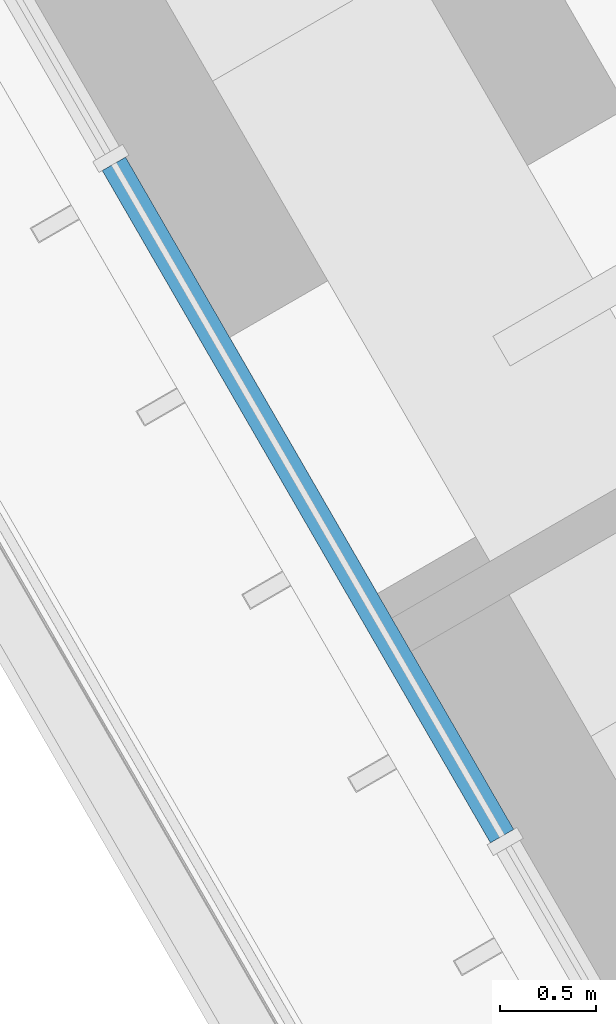
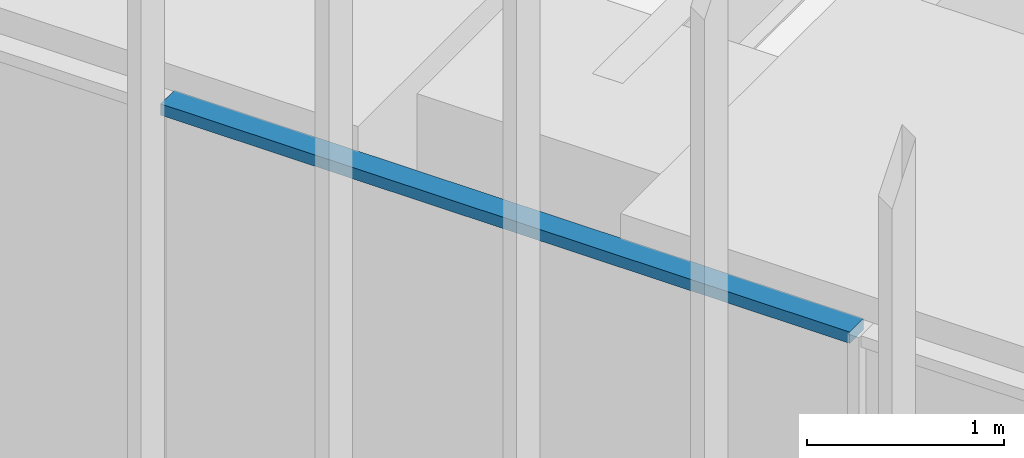
# One storey, part 8 of 238: 1 member, 1 element without a shape of its own.
"""IFC4 building model written with IfcOpenShell, lengths in metres."""

from ifc_helpers import new_model, si_unit, direction, frame, origin, origin_2d, place, context, subcontext, project, spatial, rectangle, extrude, material, material_profile, profile_set, type_object, element, aggregate, save


model = new_model("IFC4")

# Units and contexts
model_context = context("Model", 3, precision=1e-05, world=origin(), true_north=direction((0.0, 1.0)))
body_context = subcontext(model_context, "Body", "Model", "MODEL_VIEW")
ifc_project = project(units=[si_unit("LENGTHUNIT", "METRE"), si_unit("AREAUNIT", "SQUARE_METRE"), si_unit("VOLUMEUNIT", "CUBIC_METRE"), si_unit("PLANEANGLEUNIT", "RADIAN"), si_unit("MASSUNIT", "GRAM", prefix="KILO")], contexts=[model_context])

# Site, building, storey
site_placement = place(None, origin())
site = spatial("IfcSite", under=ifc_project, at=site_placement, CompositionType="ELEMENT")
building_placement = place(site_placement, origin())
building = spatial("IfcBuilding", under=site, at=building_placement, Name="Sandreach Pilgrim Tower", CompositionType="ELEMENT")
storey_placement = place(building_placement, frame((0.0, 0.0, 96.800048828125)))
storey = spatial("IfcBuildingStorey", under=building, at=storey_placement, Name="L23", CompositionType="ELEMENT", Elevation=96.800048828125)

# Curtain wall, member
ifc_material_1 = material(Name="Aluminium framed curtain wall", Category="aluminium")
curtain_wall_type = type_object("IfcCurtainWallType", Name="Hotel tower curtain wall", PredefinedType="NOTDEFINED", material=ifc_material_1)
curtain_wall_placement = place(storey_placement, origin())
curtain_wall = element("IfcCurtainWall", 1, at=curtain_wall_placement, inside=storey, type_object=curtain_wall_type, Name="CW-2 L23 SW", PredefinedType="NOTDEFINED")
ifc_material_2 = material(Name="Aluminium extrusion", Category="aluminium")
ifc_material_profile = material_profile(ifc_material_2, rectangle(XDim=0.139892578125, YDim=0.070068359375, at=origin_2d()), Name="CW-2T 140X70")
ifc_profile_set = profile_set([ifc_material_profile], Name="Aluminium extrusion")
member_type = type_object("IfcMemberType", Name="CW-2 transom", PredefinedType="USERDEFINED", material=ifc_profile_set)
member_placement = place(storey_placement, frame((-16.416259765625, -16.553955078125, 3.60498046875), z_axis=(-0.499997818338, 0.866026663364, 0.0), x_axis=(-0.866026663364, -0.499997818338, 0.0)))
member = element("IfcMember", 2, at=member_placement, type_object=member_type, Name="CW-2 head transom 4", ObjectType="TRANSOM", PredefinedType="USERDEFINED", context=body_context, shape_type="SweptSolid", body=[
    extrude(rectangle(XDim=0.139892578125, YDim=0.070068359375, at=origin_2d()), origin(), (0.0, 0.0, 1.0), 4.0419921875),
])
aggregate(curtain_wall, [member])

save(model, "model.ifc")
